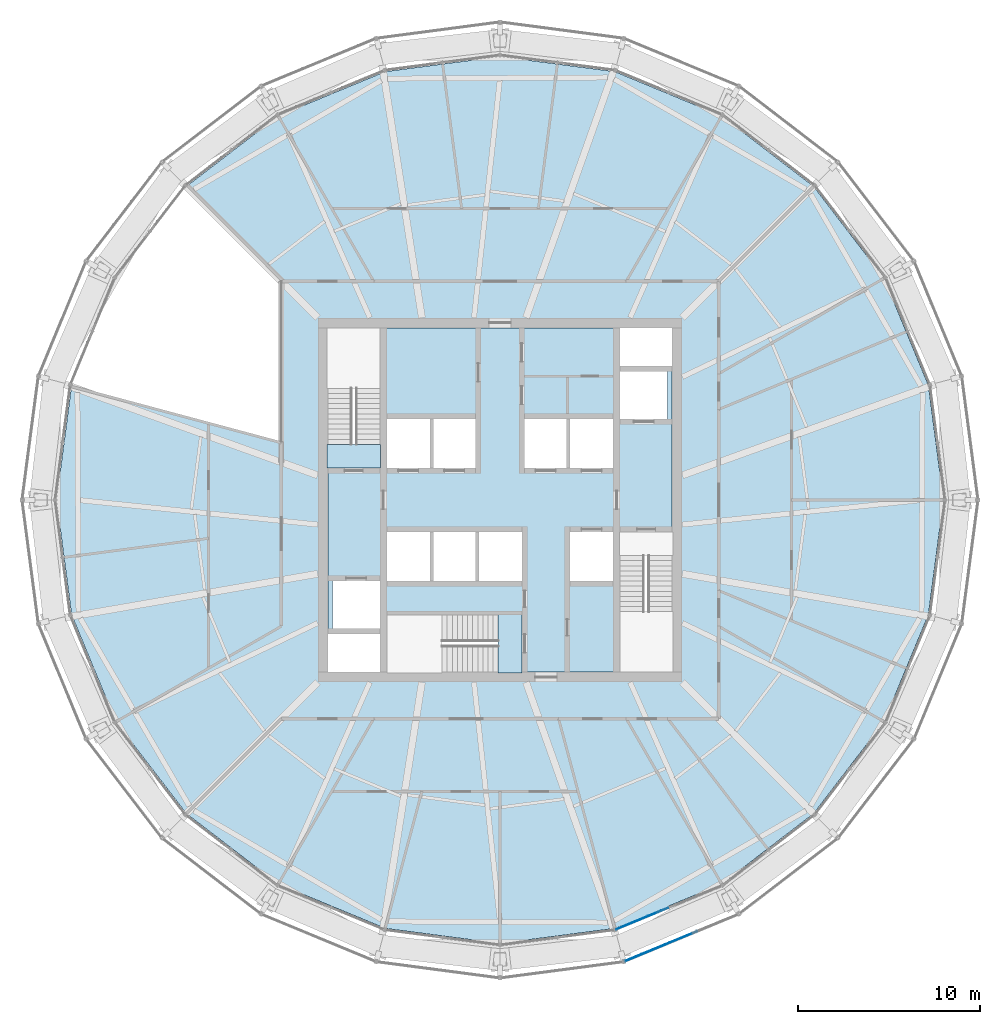
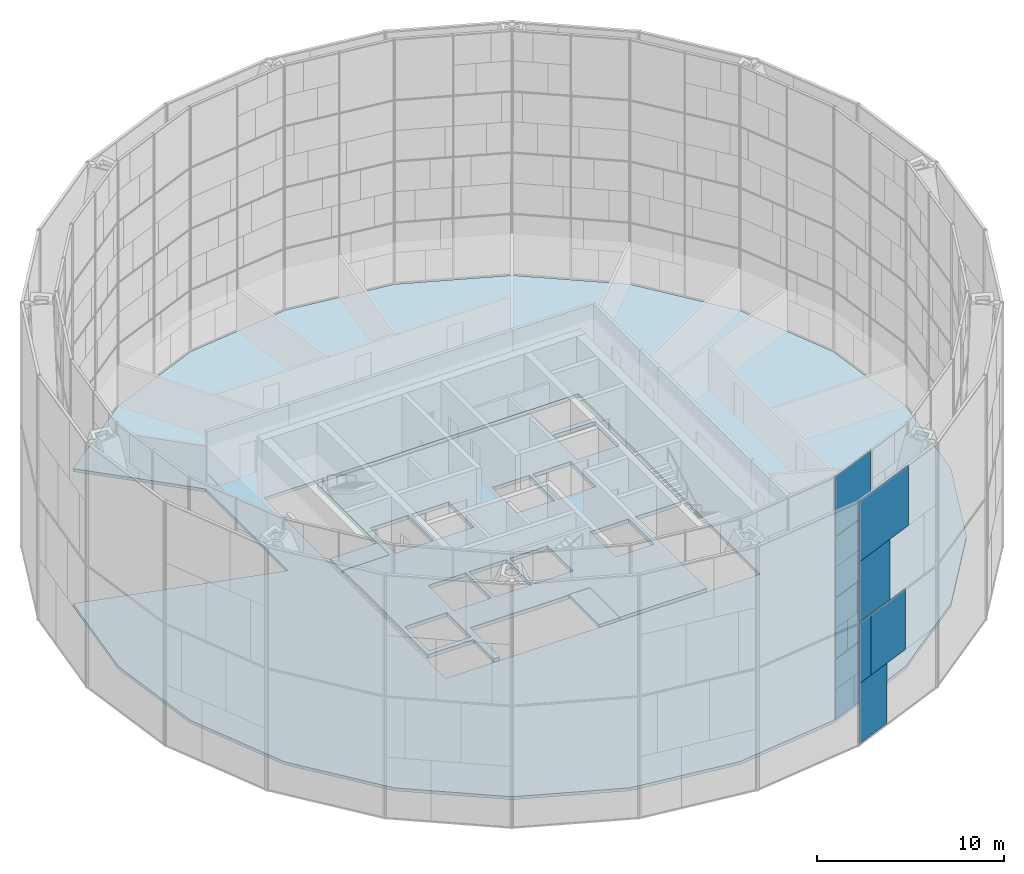
# One storey, part 16 of 28: 15 plates, 4 slabs, 2 elements without a shape of their own.
"""IFC4 building model written with IfcOpenShell, lengths in metres."""

from ifc_helpers import new_model, si_unit, direction, frame, origin, origin_2d, place, context, subcontext, project, spatial, polyline, rectangle, outline, extrude, material, layer, layer_set, type_object, element, aggregate, save


model = new_model("IFC4")

# Units and contexts
model_context = context("Model", 3, precision=1e-05, world=origin(), true_north=direction((0.0, 1.0)))
body_context = subcontext(model_context, "Body", "Model", "MODEL_VIEW")
ifc_project = project(units=[si_unit("LENGTHUNIT", "METRE"), si_unit("AREAUNIT", "SQUARE_METRE"), si_unit("VOLUMEUNIT", "CUBIC_METRE"), si_unit("PLANEANGLEUNIT", "RADIAN"), si_unit("MASSUNIT", "GRAM", prefix="KILO")], contexts=[model_context])

# Site, building, storey
site_placement = place(None, origin())
site = spatial("IfcSite", under=ifc_project, at=site_placement, CompositionType="ELEMENT")
building_placement = place(site_placement, origin())
building = spatial("IfcBuilding", under=site, at=building_placement, Name="Golbaran Civic Tower", CompositionType="ELEMENT")
storey_placement = place(building_placement, frame((0.0, 0.0, 134.0)))
storey = spatial("IfcBuildingStorey", under=building, at=storey_placement, Name="L32", CompositionType="ELEMENT", Elevation=134.0)

# Slabs
ifc_material_1 = material(Name="Concrete LC30/33 lightweight on steel deck", Category="concrete")
ifc_layer_1 = layer(ifc_material_1, 0.199951171875, Name="Concrete LC30/33 lightweight on steel deck")
ifc_layer_set_1 = layer_set([ifc_layer_1], Name="Concrete LC30/33 lightweight on steel deck")
slab_type_1 = type_object("IfcSlabType", Name="COMPOSITE FLOOR SLAB 200", PredefinedType="FLOOR", material=ifc_layer_set_1)
slab_1_placement = place(storey_placement, frame((0.0, 0.0, -0.199951171875)))
element("IfcSlab", 1, at=slab_1_placement, inside=storey, type_object=slab_type_1, Name="Floor slab L32", PredefinedType="FLOOR", context=body_context, shape_type="SweptSolid", body=[
    extrude(outline(polyline([(17.214111328125, -17.214111328125), (12.172119140625, -21.082763671875), (6.30078125, -23.514892578125), (0.0, -24.34423828125), (-6.30078125, -23.514892578125), (-12.172119140625, -21.082763671875), (-17.214111328125, -17.214111328125), (-21.082763671875, -12.172119140625), (-23.514892578125, -6.30078125), (-24.34423828125, 0.0), (-23.514892578125, 6.30078125), (-12.0, 3.21533203125), (-12.0, 12.0), (-17.214111328125, 17.214111328125), (-12.172119140625, 21.082763671875), (-6.30078125, 23.514892578125), (0.0, 24.34423828125), (6.30078125, 23.514892578125), (12.172119140625, 21.082763671875), (17.214111328125, 17.214111328125), (21.082763671875, 12.172119140625), (23.514892578125, 6.30078125), (24.34423828125, 0.0), (23.514892578125, -6.30078125), (21.082763671875, -12.172119140625), (17.214111328125, -17.214111328125)]), holes=[polyline([(-9.72509765625, -9.72509765625), (9.72509765625, -9.72509765625), (9.72509765625, 9.72509765625), (-9.72509765625, 9.72509765625), (-9.72509765625, -9.72509765625)])]), origin(), (0.0, 0.0, 1.0), 0.199951171875),
])
ifc_material_2 = material(Name="Concrete C35/45", Category="concrete")
ifc_layer_2 = layer(ifc_material_2, 0.25, Name="Concrete C35/45")
ifc_layer_set_2 = layer_set([ifc_layer_2], Name="Concrete C35/45")
slab_type_2 = type_object("IfcSlabType", Name="CORE FLOOR SLAB 250", PredefinedType="FLOOR", material=ifc_layer_set_2)
slab_2_placement = place(storey_placement, frame((0.0, 0.0, -0.25)))
element("IfcSlab", 2, at=slab_2_placement, inside=storey, type_object=slab_type_2, Name="Core floor slab L32", PredefinedType="FLOOR", context=body_context, shape_type="SweptSolid", body=[
    extrude(outline(polyline([(6.60009765625, -1.75), (6.60009765625, -9.449951171875), (1.199951171875, -9.449951171875), (1.199951171875, -6.300048828125), (-6.199951171875, -6.300048828125), (-6.199951171875, -9.449951171875), (-6.60009765625, -9.449951171875), (-6.60009765625, -7.35009765625), (-9.449951171875, -7.35009765625), (-9.449951171875, 1.75), (-6.60009765625, 1.75), (-6.60009765625, 9.449951171875), (6.60009765625, 9.449951171875), (6.60009765625, 7.35009765625), (9.449951171875, 7.35009765625), (9.449951171875, -1.75), (6.60009765625, -1.75)]), holes=[polyline([(9.199951171875, 7.050048828125), (6.60009765625, 7.050048828125), (6.60009765625, 4.449951171875), (9.199951171875, 4.449951171875), (9.199951171875, 7.050048828125)]), polyline([(6.199951171875, -1.75), (3.85009765625, -1.75), (3.85009765625, -4.449951171875), (6.199951171875, -4.449951171875), (6.199951171875, -1.75)]), polyline([(6.199951171875, 4.449951171875), (3.85009765625, 4.449951171875), (3.85009765625, 1.75), (6.199951171875, 1.75), (6.199951171875, 4.449951171875)]), polyline([(3.64990234375, 4.449951171875), (1.35009765625, 4.449951171875), (1.35009765625, 1.75), (3.64990234375, 1.75), (3.64990234375, 4.449951171875)]), polyline([(1.199951171875, -1.75), (-1.14990234375, -1.75), (-1.14990234375, -4.449951171875), (1.199951171875, -4.449951171875), (1.199951171875, -1.75)]), polyline([(-1.35009765625, 4.449951171875), (-3.64990234375, 4.449951171875), (-3.64990234375, 1.75), (-1.35009765625, 1.75), (-1.35009765625, 4.449951171875)]), polyline([(-1.35009765625, -1.75), (-3.64990234375, -1.75), (-3.64990234375, -4.449951171875), (-1.35009765625, -4.449951171875), (-1.35009765625, -1.75)]), polyline([(-3.85009765625, -1.75), (-6.199951171875, -1.75), (-6.199951171875, -4.449951171875), (-3.85009765625, -4.449951171875), (-3.85009765625, -1.75)]), polyline([(-3.85009765625, 4.449951171875), (-6.199951171875, 4.449951171875), (-6.199951171875, 1.75), (-3.85009765625, 1.75), (-3.85009765625, 4.449951171875)]), polyline([(-6.60009765625, -4.449951171875), (-9.199951171875, -4.449951171875), (-9.199951171875, -7.050048828125), (-6.60009765625, -7.050048828125), (-6.60009765625, -4.449951171875)])]), origin(), (0.0, 0.0, 1.0), 0.25),
])

# Curtain wall, plates
ifc_material_3 = material(Name="Aluminium and glass", Category="aluminium")
curtain_wall_type_1 = type_object("IfcCurtainWallType", Name="INNER SKIN CURTAIN WALL", PredefinedType="NOTDEFINED", material=ifc_material_3)
curtain_wall_1_placement = place(storey_placement, origin())
curtain_wall_1 = element("IfcCurtainWall", 3, at=curtain_wall_1_placement, inside=storey, type_object=curtain_wall_type_1, Name="Inner skin L32 facet 20 CW1", ObjectType="INNER SKIN", PredefinedType="USERDEFINED")
ifc_material_4 = material(Name="Clear insulating glass", Category="glass")
ifc_layer_3 = layer(ifc_material_4, 0.031982421875, Name="Clear insulating glass")
ifc_layer_set_3 = layer_set([ifc_layer_3], Name="Clear insulating glass")
plate_type_1 = type_object("IfcPlateType", Name="INNER SKIN CURTAIN WALL GLAZED PANEL", PredefinedType="CURTAIN_PANEL", material=ifc_layer_set_3)
plate_1_placement = place(storey_placement, frame((8.56640625, -22.662841796875, 0.06494140625), z_axis=(0.0, 0.0, 1.0), x_axis=(0.923879532485, 0.38268343243, 0.0)))
plate_1 = element("IfcPlate", 4, at=plate_1_placement, type_object=plate_type_1, Name="CW1 panel 1.1 part 2", PredefinedType="CURTAIN_PANEL", context=body_context, shape_type="SweptSolid", body=[
    extrude(rectangle(XDim=1.45166015625, YDim=0.031982421875, at=origin_2d()), origin(), (0.0, 0.0, 1.0), 1.951171875),
])
plate_2_placement = place(storey_placement, frame((6.87744140625, -23.362548828125, 4.03271484375), z_axis=(0.0, 0.0, 1.0), x_axis=(0.923879532485, 0.38268343243, 0.0)))
plate_2 = element("IfcPlate", 5, at=plate_2_placement, type_object=plate_type_1, Name="CW1 panel 1.2 part 1", PredefinedType="CURTAIN_PANEL", context=body_context, shape_type="SweptSolid", body=[
    extrude(rectangle(XDim=1.072998046875, YDim=0.031982421875, at=origin_2d()), origin(), (0.0, 0.0, 1.0), 1.967529296875),
])
plate_3_placement = place(storey_placement, frame((7.25244140625, -23.207275390625, 6.0), z_axis=(0.0, 0.0, 1.0), x_axis=(0.923879532485, 0.38268343243, 0.0)))
plate_3 = element("IfcPlate", 6, at=plate_3_placement, type_object=plate_type_1, Name="CW1 panel 1.2 part 3", PredefinedType="CURTAIN_PANEL", context=body_context, shape_type="SweptSolid", body=[
    extrude(rectangle(XDim=1.885009765625, YDim=0.031982421875, at=origin_2d()), origin(), (0.0, 0.0, 1.0), 1.967529296875),
])
plate_4_placement = place(storey_placement, frame((7.623779296875, -23.053466796875, 8.03271484375), z_axis=(0.0, 0.0, 1.0), x_axis=(0.923879532485, 0.38268343243, 0.0)))
plate_4 = element("IfcPlate", 7, at=plate_4_placement, type_object=plate_type_1, Name="CW1 panel 1.3 part 1", PredefinedType="CURTAIN_PANEL", context=body_context, shape_type="SweptSolid", body=[
    extrude(rectangle(XDim=2.68896484375, YDim=0.031982421875, at=origin_2d()), origin(), (0.0, 0.0, 1.0), 1.967529296875),
])
plate_5_placement = place(storey_placement, frame((7.809326171875, -22.9765625, 10.0), z_axis=(0.0, 0.0, 1.0), x_axis=(0.923879532485, 0.38268343243, 0.0)))
plate_5 = element("IfcPlate", 8, at=plate_5_placement, type_object=plate_type_1, Name="CW1 panel 1.3 part 3", PredefinedType="CURTAIN_PANEL", context=body_context, shape_type="SweptSolid", body=[
    extrude(rectangle(XDim=3.090576171875, YDim=0.031982421875, at=origin_2d()), origin(), (0.0, 0.0, 1.0), 1.967529296875),
])
plate_6_placement = place(storey_placement, frame((7.809326171875, -22.9765625, 12.0322265625), z_axis=(0.0, 0.0, 1.0), x_axis=(0.923879532485, 0.38268343243, 0.0)))
plate_6 = element("IfcPlate", 9, at=plate_6_placement, type_object=plate_type_1, Name="CW1 panel 1.4", PredefinedType="CURTAIN_PANEL", context=body_context, shape_type="SweptSolid", body=[
    extrude(rectangle(XDim=3.090576171875, YDim=0.031982421875, at=origin_2d()), origin(), (0.0, 0.0, 1.0), 3.902587890625),
])
ifc_material_5 = material(Name="Aluminium faced opaque infill panel", Category="aluminium")
ifc_layer_4 = layer(ifc_material_5, 0.031982421875, Name="Aluminium faced opaque infill panel")
ifc_layer_set_4 = layer_set([ifc_layer_4], Name="Aluminium faced opaque infill panel")
plate_type_2 = type_object("IfcPlateType", Name="INNER SKIN CURTAIN WALL OPAQUE INFILL PANEL", PredefinedType="CURTAIN_PANEL", material=ifc_layer_set_4)
plate_7_placement = place(storey_placement, frame((7.138916015625, -23.254150390625, 0.06494140625), z_axis=(0.0, 0.0, 1.0), x_axis=(0.923879532485, 0.38268343243, 0.0)))
plate_7 = element("IfcPlate", 10, at=plate_7_placement, type_object=plate_type_2, Name="CW1 infill panel 1.1 part 1", PredefinedType="CURTAIN_PANEL", context=body_context, shape_type="SweptSolid", body=[
    extrude(rectangle(XDim=1.638916015625, YDim=0.031982421875, at=origin_2d()), origin(), (0.0, 0.0, 1.0), 1.951171875),
])
plate_8_placement = place(storey_placement, frame((7.5107421875, -23.100341796875, 2.016357421875), z_axis=(0.0, 0.0, 1.0), x_axis=(0.923879532485, 0.38268343243, 0.0)))
plate_8 = element("IfcPlate", 11, at=plate_8_placement, type_object=plate_type_2, Name="CW1 infill panel 1.1 part 3", PredefinedType="CURTAIN_PANEL", context=body_context, shape_type="SweptSolid", body=[
    extrude(rectangle(XDim=2.444091796875, YDim=0.031982421875, at=origin_2d()), origin(), (0.0, 0.0, 1.0), 1.951171875),
])
plate_9_placement = place(storey_placement, frame((8.304931640625, -22.771240234375, 4.03271484375), z_axis=(0.0, 0.0, 1.0), x_axis=(0.923879532485, 0.38268343243, 0.0)))
plate_9 = element("IfcPlate", 12, at=plate_9_placement, type_object=plate_type_2, Name="CW1 infill panel 1.2 part 2", PredefinedType="CURTAIN_PANEL", context=body_context, shape_type="SweptSolid", body=[
    extrude(rectangle(XDim=2.017578125, YDim=0.031982421875, at=origin_2d()), origin(), (0.0, 0.0, 1.0), 1.967529296875),
])
plate_10_placement = place(storey_placement, frame((8.68017578125, -22.61572265625, 6.0), z_axis=(0.0, 0.0, 1.0), x_axis=(0.923879532485, 0.38268343243, 0.0)))
plate_10 = element("IfcPlate", 13, at=plate_10_placement, type_object=plate_type_2, Name="CW1 infill panel 1.2 part 4", PredefinedType="CURTAIN_PANEL", context=body_context, shape_type="SweptSolid", body=[
    extrude(rectangle(XDim=1.20556640625, YDim=0.031982421875, at=origin_2d()), origin(), (0.0, 0.0, 1.0), 1.967529296875),
])
aggregate(curtain_wall_1, [plate_7, plate_1, plate_8, plate_2, plate_9, plate_3, plate_10, plate_4, plate_5, plate_6])

curtain_wall_type_2 = type_object("IfcCurtainWallType", Name="OUTER SKIN TERRACOTTA SCREEN", PredefinedType="NOTDEFINED", material=ifc_material_3)
curtain_wall_2_placement = place(storey_placement, origin())
curtain_wall_2 = element("IfcCurtainWall", 14, at=curtain_wall_2_placement, inside=storey, type_object=curtain_wall_type_2, Name="Outer skin L32 facet 20 CW3", ObjectType="OUTER SKIN", PredefinedType="USERDEFINED")
ifc_material_6 = material(Name="Clear laminated glass", Category="glass")
ifc_layer_5 = layer(ifc_material_6, 0.0400390625, Name="Clear laminated glass")
ifc_layer_set_5 = layer_set([ifc_layer_5], Name="Clear laminated glass")
plate_type_3 = type_object("IfcPlateType", Name="OUTER SKIN CLEAR GLASS PANEL", PredefinedType="CURTAIN_PANEL", material=ifc_layer_set_5)
plate_11_placement = place(storey_placement, frame((7.325927734375, -25.12451171875, 3.31005859375), z_axis=(0.0, 0.0, 1.0), x_axis=(0.923879532498, 0.382683432397, 0.0)))
plate_11 = element("IfcPlate", 15, at=plate_11_placement, type_object=plate_type_3, Name="CW3 panel 1.1 part 3", PredefinedType="CURTAIN_PANEL", context=body_context, shape_type="SweptSolid", body=[
    extrude(rectangle(XDim=0.9970703125, YDim=0.0400390625, at=origin_2d()), origin(), (0.0, 0.0, 1.0), 3.93994140625),
])
plate_12_placement = place(storey_placement, frame((8.09228515625, -24.80712890625, 7.330078125), z_axis=(0.0, 0.0, 1.0), x_axis=(0.923879532498, 0.382683432397, 0.0)))
plate_12 = element("IfcPlate", 16, at=plate_12_placement, type_object=plate_type_3, Name="CW3 panel 1.2 part 1", PredefinedType="CURTAIN_PANEL", context=body_context, shape_type="SweptSolid", body=[
    extrude(rectangle(XDim=2.656005859375, YDim=0.0400390625, at=origin_2d()), origin(), (0.0, 0.0, 1.0), 3.93994140625),
])
plate_13_placement = place(storey_placement, frame((8.84326171875, -24.495849609375, 11.27001953125), z_axis=(0.0, 0.0, 1.0), x_axis=(0.923879532498, 0.382683432397, 0.0)))
plate_13 = element("IfcPlate", 17, at=plate_13_placement, type_object=plate_type_3, Name="CW3 panel 1.2 part 4", PredefinedType="CURTAIN_PANEL", context=body_context, shape_type="SweptSolid", body=[
    extrude(rectangle(XDim=4.281982421875, YDim=0.0400390625, at=origin_2d()), origin(), (0.0, 0.0, 1.0), 3.93994140625),
])
ifc_material_7 = material(Name="Terracotta baguette screen", Category="masonry")
ifc_layer_6 = layer(ifc_material_7, 0.0400390625, Name="Terracotta baguette screen")
ifc_layer_set_6 = layer_set([ifc_layer_6], Name="Terracotta baguette screen")
plate_type_4 = type_object("IfcPlateType", Name="OUTER SKIN TERRACOTTA INFILL PANEL", PredefinedType="CURTAIN_PANEL", material=ifc_layer_set_6)
plate_14_placement = place(storey_placement, frame((7.9716796875, -24.85693359375, -0.6298828125), z_axis=(0.0, 0.0, 1.0), x_axis=(0.923879532498, 0.382683432397, 0.0)))
plate_14 = element("IfcPlate", 18, at=plate_14_placement, type_object=plate_type_4, Name="CW3 infill panel 1.1 part 1", PredefinedType="CURTAIN_PANEL", context=body_context, shape_type="SweptSolid", body=[
    extrude(rectangle(XDim=2.39501953125, YDim=0.0400390625, at=origin_2d()), origin(), (0.0, 0.0, 1.0), 3.93994140625),
])
plate_15_placement = place(storey_placement, frame((9.183349609375, -24.355224609375, 3.31005859375), z_axis=(0.0, 0.0, 1.0), x_axis=(0.923879532498, 0.382683432397, 0.0)))
plate_15 = element("IfcPlate", 19, at=plate_15_placement, type_object=plate_type_4, Name="CW3 infill panel 1.1 part 4", PredefinedType="CURTAIN_PANEL", context=body_context, shape_type="SweptSolid", body=[
    extrude(rectangle(XDim=3.02392578125, YDim=0.0400390625, at=origin_2d()), origin(), (0.0, 0.0, 1.0), 3.93994140625),
])
aggregate(curtain_wall_2, [plate_14, plate_11, plate_15, plate_12, plate_13])

# Slabs
ifc_layer_7 = layer(ifc_material_2, 0.199951171875, Name="Concrete C35/45")
ifc_layer_set_7 = layer_set([ifc_layer_7], Name="Concrete C35/45")
slab_type_3 = type_object("IfcSlabType", Name="STAIR LANDING 200", PredefinedType="LANDING", material=ifc_layer_set_7)
slab_3_placement = place(storey_placement, frame((0.0, 0.0, -0.199951171875)))
element("IfcSlab", 20, at=slab_3_placement, inside=storey, type_object=slab_type_3, Name="Stair S1 floor landing L32", PredefinedType="LANDING", context=body_context, shape_type="SweptSolid", body=[
    extrude(outline(polyline([(-9.5, 1.75), (-9.5, 3.054931640625), (-6.550048828125, 3.054931640625), (-6.550048828125, 1.75), (-9.5, 1.75)])), origin(), (0.0, 0.0, 1.0), 0.199951171875),
])
slab_4_placement = place(storey_placement, frame((0.0, 0.0, -0.199951171875)))
element("IfcSlab", 21, at=slab_4_placement, inside=storey, type_object=slab_type_3, Name="Stair S3 floor landing L32", PredefinedType="LANDING", context=body_context, shape_type="SweptSolid", body=[
    extrude(outline(polyline([(1.199951171875, -9.5), (-0.10498046875, -9.5), (-0.10498046875, -6.25), (1.199951171875, -6.25), (1.199951171875, -9.5)])), origin(), (0.0, 0.0, 1.0), 0.199951171875),
])

save(model, "model.ifc")
